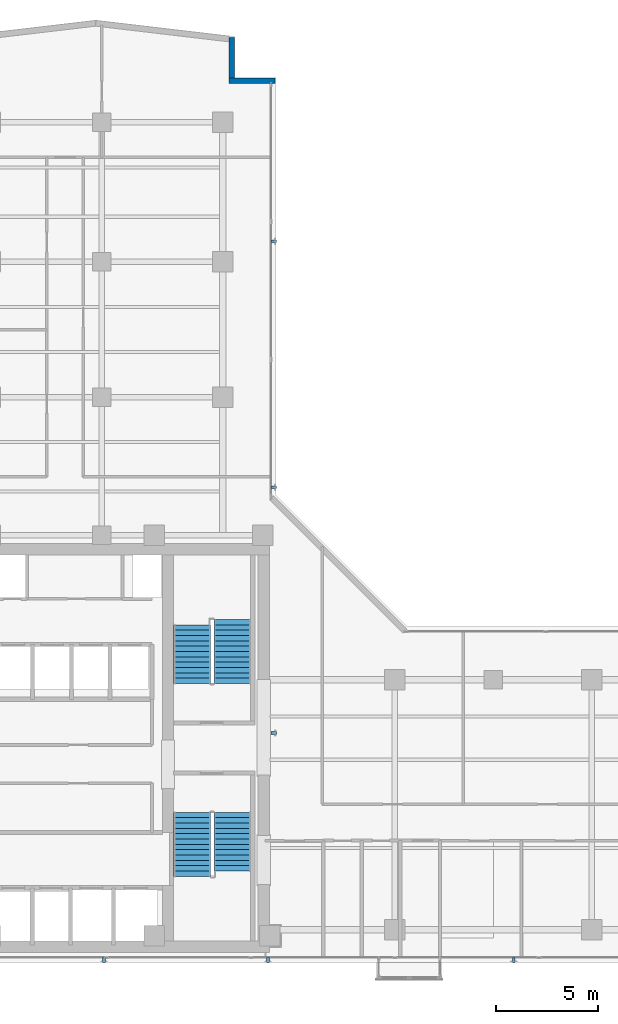
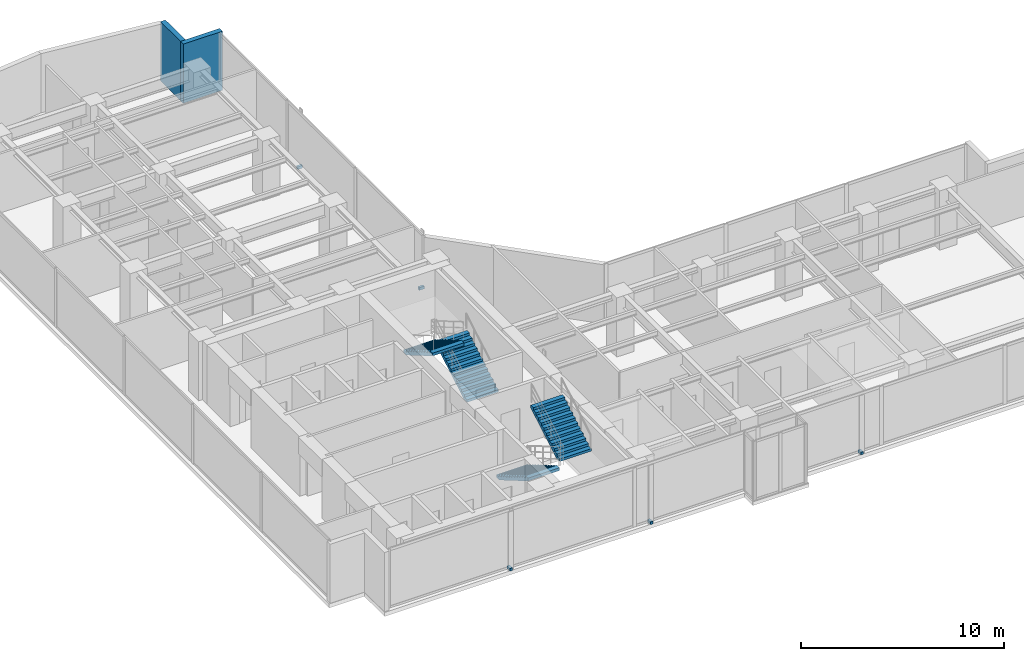
# One storey, part 19 of 22: 6 discrete accessories, 4 stair flights, 2 walls, 2 elements without a shape of their own.
"""IFC4 building model written with IfcOpenShell, lengths in metres."""

from ifc_helpers import new_model, si_unit, direction, frame, frame_2d, origin, origin_with_axes, origin_2d, place, context, subcontext, project, spatial, polyline, rectangle, outline, extrude, source, transform, mapped, material, layer, layer_set, type_object, element, aggregate, save


model = new_model("IFC4")

# Units and contexts
model_context = context("Model", 3, precision=1e-05, world=origin(), true_north=direction((0.0, 1.0)))
body_context = subcontext(model_context, "Body", "Model", "MODEL_VIEW")
ifc_project = project(units=[si_unit("LENGTHUNIT", "METRE"), si_unit("AREAUNIT", "SQUARE_METRE"), si_unit("VOLUMEUNIT", "CUBIC_METRE"), si_unit("PLANEANGLEUNIT", "RADIAN"), si_unit("MASSUNIT", "GRAM", prefix="KILO")], contexts=[model_context])

# Site, building, storey
site_placement = place(None, origin())
site = spatial("IfcSite", under=ifc_project, at=site_placement, CompositionType="ELEMENT")
building_placement = place(site_placement, origin())
building = spatial("IfcBuilding", under=site, at=building_placement, Name="Kolvaren Waterfront Exchange", CompositionType="ELEMENT")
storey_placement = place(building_placement, frame((0.0, 0.0, 246.300048828125)))
storey = spatial("IfcBuildingStorey", under=building, at=storey_placement, Name="L63", CompositionType="ELEMENT", Elevation=246.300048828125)

# Walls
ifc_material_1 = material(Name="Precast concrete C40/50", Category="concrete")
ifc_layer = layer(ifc_material_1, 0.280029296875, Name="Precast concrete C40/50")
ifc_layer_set = layer_set([ifc_layer], Name="Precast concrete C40/50")
wall_type = type_object("IfcWallType", Name="ARC-EXT-TERR-280", PredefinedType="SOLIDWALL", material=ifc_layer_set)
wall_1_placement = place(storey_placement, frame((19.10009765625, 46.639892578125, 0.0), z_axis=(0.0, 0.0, 1.0), x_axis=(1.0, 0.0, 0.0)))
element("IfcWall", 1, at=wall_1_placement, inside=storey, type_object=wall_type, Name="L63 notched corner spandrel pier NNE-A", PredefinedType="SOLIDWALL", context=body_context, shape_type="SweptSolid", body=[
    extrude(rectangle(XDim=2.239990234375, YDim=0.280029296875, at=frame_2d((1.1201171875, 0.0))), origin(), (0.0, 0.0, 1.0), 3.56005859375),
])
wall_2_placement = place(storey_placement, frame((19.239990234375, 46.780029296875, 0.0), z_axis=(0.0, 0.0, 1.0), x_axis=(0.0, 1.0, 0.0)))
element("IfcWall", 2, at=wall_2_placement, inside=storey, type_object=wall_type, Name="L63 notched corner spandrel pier NNE-B", PredefinedType="SOLIDWALL", context=body_context, shape_type="SweptSolid", body=[
    extrude(rectangle(XDim=1.9599609375, YDim=0.280029296875, at=frame_2d((0.97998046875, 0.0))), origin(), (0.0, 0.0, 1.0), 3.56005859375),
])

# Stair, stair flights
ifc_material_2 = material(Name="Concrete C40/50", Category="concrete")
stair_type = type_object("IfcStairType", Name="ARC-STAIR-3800", PredefinedType="HALF_TURN_STAIR", material=ifc_material_2)
stair_1_placement = place(storey_placement, origin())
stair_1 = element("IfcStair", 3, at=stair_1_placement, inside=storey, type_object=stair_type, Name="L63 Smoke-proof exit stair ST1", PredefinedType="HALF_TURN_STAIR")
stair_flight_type = type_object("IfcStairFlightType", Name="ARC-FLIGHT-3800", PredefinedType="STRAIGHT", material=ifc_material_2)
stair_flight_1_placement = place(storey_placement, frame((17.300048828125, 10.929931640625, 0.0), z_axis=(0.0, 0.0, 1.0), x_axis=(0.0, -1.0, 0.0)))
stair_flight_1 = element("IfcStairFlight", 4, at=stair_flight_1_placement, type_object=stair_flight_type, Name="ST1 flight 1", NumberOfRisers=13, NumberOfTreads=12, PredefinedType="STRAIGHT", RiserHeight=0.152, TreadLength=0.26, context=body_context, shape_type="SweptSolid", body=[
    extrude(outline(polyline([(0.0, 0.0), (0.0, 0.152099609375), (0.260009765625, 0.152099609375), (0.260009765625, 0.303955078125), (0.52001953125, 0.303955078125), (0.52001953125, 0.4560546875), (0.780029296875, 0.4560546875), (0.780029296875, 0.60791015625), (1.0400390625, 0.60791015625), (1.0400390625, 0.760009765625), (1.300048828125, 0.760009765625), (1.300048828125, 0.912109375), (1.56005859375, 0.912109375), (1.56005859375, 1.06396484375), (1.820068359375, 1.06396484375), (1.820068359375, 1.216064453125), (2.080078125, 1.216064453125), (2.080078125, 1.367919921875), (2.340087890625, 1.367919921875), (2.340087890625, 1.52001953125), (2.60009765625, 1.52001953125), (2.60009765625, 1.672119140625), (2.860107421875, 1.672119140625), (2.860107421875, 1.823974609375), (3.1201171875, 1.823974609375), (3.1201171875, 1.97607421875), (3.1201171875, 1.650390625), (0.297119140625, 0.0), (0.0, 0.0)])), frame((0.0, 0.89990234375, 0.0), z_axis=(0.0, -1.0, 0.0), x_axis=(1.0, 0.0, 0.0)), (0.0, 0.0, 1.0), 1.800048828125),
])
stair_flight_2_placement = place(storey_placement, frame((19.260009765625, 8.070068359375, 1.975830078125), z_axis=(0.0, 0.0, 1.0), x_axis=(0.0, 1.0, 0.0)))
stair_flight_2 = element("IfcStairFlight", 5, at=stair_flight_2_placement, type_object=stair_flight_type, Name="ST1 flight 2", NumberOfRisers=12, NumberOfTreads=11, PredefinedType="STRAIGHT", RiserHeight=0.152, TreadLength=0.26, context=body_context, shape_type="SweptSolid", body=[
    extrude(outline(polyline([(0.0, 0.0), (0.0, 0.152099609375), (0.260009765625, 0.152099609375), (0.260009765625, 0.303955078125), (0.52001953125, 0.303955078125), (0.52001953125, 0.4560546875), (0.780029296875, 0.4560546875), (0.780029296875, 0.60791015625), (1.0400390625, 0.60791015625), (1.0400390625, 0.760009765625), (1.300048828125, 0.760009765625), (1.300048828125, 0.912109375), (1.56005859375, 0.912109375), (1.56005859375, 1.06396484375), (1.820068359375, 1.06396484375), (1.820068359375, 1.216064453125), (2.080078125, 1.216064453125), (2.080078125, 1.367919921875), (2.340087890625, 1.367919921875), (2.340087890625, 1.52001953125), (2.60009765625, 1.52001953125), (2.60009765625, 1.672119140625), (2.860107421875, 1.672119140625), (2.860107421875, 1.823974609375), (2.860107421875, 1.498291015625), (0.297119140625, 0.0), (0.0, 0.0)])), frame((0.0, 0.89990234375, 0.0), z_axis=(0.0, -1.0, 0.0), x_axis=(1.0, 0.0, 0.0)), (0.0, 0.0, 1.0), 1.800048828125),
])
aggregate(stair_1, [stair_flight_1, stair_flight_2])

stair_2_placement = place(storey_placement, origin())
stair_2 = element("IfcStair", 6, at=stair_2_placement, inside=storey, type_object=stair_type, Name="L63 Smoke-proof exit stair ST2", PredefinedType="HALF_TURN_STAIR")
stair_flight_3_placement = place(storey_placement, frame((19.260009765625, 17.219970703125, 0.0), z_axis=(0.0, 0.0, 1.0), x_axis=(0.0, 1.0, 0.0)))
stair_flight_3 = element("IfcStairFlight", 7, at=stair_flight_3_placement, type_object=stair_flight_type, Name="ST2 flight 1", NumberOfRisers=13, NumberOfTreads=12, PredefinedType="STRAIGHT", RiserHeight=0.152, TreadLength=0.26, context=body_context, shape_type="SweptSolid", body=[
    extrude(outline(polyline([(0.0, 0.0), (0.0, 0.152099609375), (0.260009765625, 0.152099609375), (0.260009765625, 0.303955078125), (0.52001953125, 0.303955078125), (0.52001953125, 0.4560546875), (0.780029296875, 0.4560546875), (0.780029296875, 0.60791015625), (1.0400390625, 0.60791015625), (1.0400390625, 0.760009765625), (1.300048828125, 0.760009765625), (1.300048828125, 0.912109375), (1.56005859375, 0.912109375), (1.56005859375, 1.06396484375), (1.820068359375, 1.06396484375), (1.820068359375, 1.216064453125), (2.080078125, 1.216064453125), (2.080078125, 1.367919921875), (2.340087890625, 1.367919921875), (2.340087890625, 1.52001953125), (2.60009765625, 1.52001953125), (2.60009765625, 1.672119140625), (2.860107421875, 1.672119140625), (2.860107421875, 1.823974609375), (3.1201171875, 1.823974609375), (3.1201171875, 1.97607421875), (3.1201171875, 1.650390625), (0.297119140625, 0.0), (0.0, 0.0)])), frame((0.0, 0.89990234375, 0.0), z_axis=(0.0, -1.0, 0.0), x_axis=(1.0, 0.0, 0.0)), (0.0, 0.0, 1.0), 1.800048828125),
])
stair_flight_4_placement = place(storey_placement, frame((17.300048828125, 20.080078125, 1.975830078125), z_axis=(0.0, 0.0, 1.0), x_axis=(0.0, -1.0, 0.0)))
stair_flight_4 = element("IfcStairFlight", 8, at=stair_flight_4_placement, type_object=stair_flight_type, Name="ST2 flight 2", NumberOfRisers=12, NumberOfTreads=11, PredefinedType="STRAIGHT", RiserHeight=0.152, TreadLength=0.26, context=body_context, shape_type="SweptSolid", body=[
    extrude(outline(polyline([(0.0, 0.0), (0.0, 0.152099609375), (0.260009765625, 0.152099609375), (0.260009765625, 0.303955078125), (0.52001953125, 0.303955078125), (0.52001953125, 0.4560546875), (0.780029296875, 0.4560546875), (0.780029296875, 0.60791015625), (1.0400390625, 0.60791015625), (1.0400390625, 0.760009765625), (1.300048828125, 0.760009765625), (1.300048828125, 0.912109375), (1.56005859375, 0.912109375), (1.56005859375, 1.06396484375), (1.820068359375, 1.06396484375), (1.820068359375, 1.216064453125), (2.080078125, 1.216064453125), (2.080078125, 1.367919921875), (2.340087890625, 1.367919921875), (2.340087890625, 1.52001953125), (2.60009765625, 1.52001953125), (2.60009765625, 1.672119140625), (2.860107421875, 1.672119140625), (2.860107421875, 1.823974609375), (2.860107421875, 1.498291015625), (0.297119140625, 0.0), (0.0, 0.0)])), frame((0.0, 0.89990234375, 0.0), z_axis=(0.0, -1.0, 0.0), x_axis=(1.0, 0.0, 0.0)), (0.0, 0.0, 1.0), 1.800048828125),
])
aggregate(stair_2, [stair_flight_3, stair_flight_4])

# Discrete accessories
ifc_material_3 = material(Name="Stainless steel 316", Category="steel")
discrete_accessory_type = type_object("IfcDiscreteAccessoryType", Name="ARC-BRK-FIN", PredefinedType="BRACKET", material=ifc_material_3)
shared_shape = source(origin_with_axes(), body_context, "Body", "SweptSolid", [
    extrude(rectangle(XDim=0.280029296875, YDim=0.139892578125, at=origin_2d()), origin(), (0.0, 0.0, 1.0), 0.159912109375),
])
for number, where, z_axis, x_axis, name in (
    (9, (13.0, 3.719970703125, 0.0), (0.0, 0.0, 1.0), (0.0, -1.0, 0.0), "L63 bronze fin anchor bracket FIN-L63-S1"),
    (10, (21.0, 3.719970703125, 0.0), (0.0, 0.0, 1.0), (0.0, -1.0, 0.0), "L63 bronze fin anchor bracket FIN-L63-S2"),
    (11, (33.0, 3.719970703125, 0.0), (0.0, 0.0, 1.0), (0.0, -1.0, 0.0), "L63 bronze fin anchor bracket FIN-L63-S3"),
    (12, (21.280029296875, 14.800048828125, 0.0), (0.0, 0.0, 1.0), (1.0, 0.0, 0.0), "L63 bronze fin anchor bracket FIN-L63-E1"),
    (13, (21.280029296875, 26.800048828125, 0.0), (0.0, 0.0, 1.0), (1.0, 0.0, 0.0), "L63 bronze fin anchor bracket FIN-L63-E2"),
    (14, (21.280029296875, 38.800048828125, 0.0), (0.0, 0.0, 1.0), (1.0, 0.0, 0.0), "L63 bronze fin anchor bracket FIN-L63-E3"),
):
    element("IfcDiscreteAccessory", number, at=place(storey_placement, frame(where, z_axis=z_axis, x_axis=x_axis)), inside=storey, type_object=discrete_accessory_type, Name=name, PredefinedType="BRACKET", context=body_context, shape_type="MappedRepresentation", body=[
        mapped(shared_shape, transform((0.0, 0.0, 0.0), x_axis=(1.0, 0.0, 0.0), y_axis=(0.0, 1.0, 0.0), z_axis=(0.0, 0.0, 1.0), scale=1.0)),
    ])

save(model, "model.ifc")
